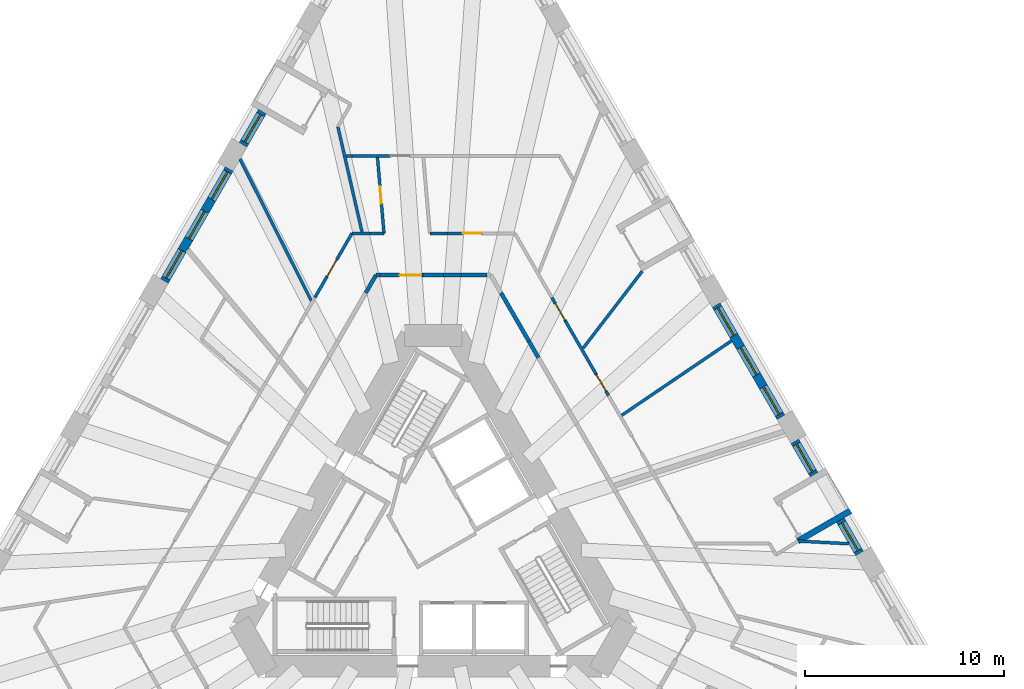
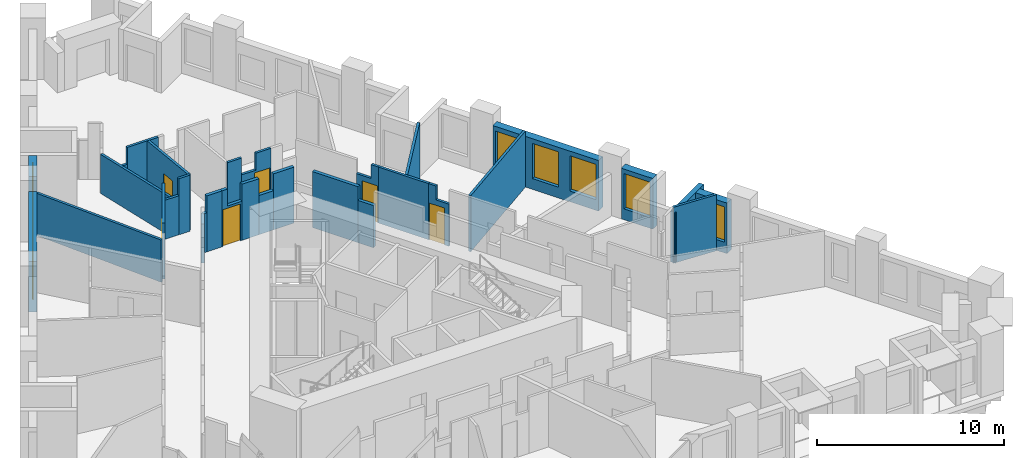
# One storey, part 8 of 14: 31 walls, 9 windows, 6 doors, 15 openings.
"""IFC4 building model written with IfcOpenShell, lengths in metres."""

from ifc_helpers import new_model, si_unit, direction, frame, frame_2d, origin, place, context, subcontext, project, spatial, polyline, rectangle, outline, extrude, material, layer, layer_set, type_object, element, fill, save


model = new_model("IFC4")

# Units and contexts
model_context = context("Model", 3, precision=1e-05, world=origin(), true_north=direction((0.0, 1.0)))
body_context = subcontext(model_context, "Body", "Model", "MODEL_VIEW")
ifc_project = project(units=[si_unit("LENGTHUNIT", "METRE"), si_unit("AREAUNIT", "SQUARE_METRE"), si_unit("VOLUMEUNIT", "CUBIC_METRE"), si_unit("PLANEANGLEUNIT", "RADIAN"), si_unit("MASSUNIT", "GRAM", prefix="KILO")], contexts=[model_context])

# Site, building, storey
site_placement = place(None, origin())
site = spatial("IfcSite", under=ifc_project, at=site_placement, CompositionType="ELEMENT")
building_placement = place(site_placement, origin())
building = spatial("IfcBuilding", under=site, at=building_placement, Name="Tramontana Tower", CompositionType="ELEMENT")
storey_placement = place(building_placement, frame((0.0, 0.0, 38.0)))
storey = spatial("IfcBuildingStorey", under=building, at=storey_placement, Name="L07", CompositionType="ELEMENT", Elevation=38.0)

# Walls
ifc_material_1 = material(Name="Blockwork", Category="masonry")
ifc_layer_1 = layer(ifc_material_1, 0.199951171875)
ifc_layer_set_1 = layer_set([ifc_layer_1], Name="ENTRY WALL 200")
wall_type_1 = type_object("IfcWallType", Name="ENTRY WALL 200", PredefinedType="SOLIDWALL", material=ifc_layer_set_1)
wall_1_placement = place(storey_placement, frame((3.404296875, 12.603515625, 0.0), z_axis=(0.0, 0.0, 1.0), x_axis=(0.500000186108, -0.866025296335, 0.0)))
element("IfcWall", 1, at=wall_1_placement, inside=storey, type_object=wall_type_1, Name="Wall v02-ew0-1", PredefinedType="SOLIDWALL", context=body_context, shape_type="SweptSolid", body=[
    extrude(rectangle(XDim=2.8154296875, YDim=0.199951171875, at=frame_2d((1.40771484375, 0.0))), origin(), (0.0, 0.0, 1.0), 3.64990234375),
])
wall_2_placement = place(storey_placement, frame((4.81201171875, 10.165283203125, 0.0), z_axis=(0.0, 0.0, 1.0), x_axis=(0.500174821557, -0.865924446982, 0.0)))
element("IfcWall", 2, at=wall_2_placement, inside=storey, type_object=wall_type_1, Name="Wall v02-ew0-2", PredefinedType="SOLIDWALL", context=body_context, shape_type="SweptSolid", body=[
    extrude(rectangle(XDim=0.949951171875, YDim=0.199951171875, at=frame_2d((0.47509765625, 0.0))), origin(), (0.0, 0.0, 1.0), 2.75),
])
wall_3_placement = place(storey_placement, frame((-3.404296875, 12.603515625, 0.0), z_axis=(0.0, 0.0, 1.0), x_axis=(0.499994660107, 0.866028486751, 0.0)))
element("IfcWall", 3, at=wall_3_placement, inside=storey, type_object=wall_type_1, Name="Wall v02-ew4-10", PredefinedType="SOLIDWALL", context=body_context, shape_type="SweptSolid", body=[
    extrude(rectangle(XDim=1.03515625, YDim=0.199951171875, at=frame_2d((0.517578125, 0.0))), origin(), (0.0, 0.0, 1.0), 2.550048828125),
])
wall_4_placement = place(storey_placement, frame((-2.88671875, 13.5, 0.0), z_axis=(0.0, 0.0, 1.0), x_axis=(1.0, 0.0, 0.0)))
element("IfcWall", 4, at=wall_4_placement, inside=storey, type_object=wall_type_1, Name="Wall v02-ew5-0", PredefinedType="SOLIDWALL", context=body_context, shape_type="SweptSolid", body=[
    extrude(rectangle(XDim=0.197265625, YDim=0.199951171875, at=frame_2d((0.0986328125, 0.0))), origin(), (0.0, 0.0, 1.0), 2.550048828125),
])
wall_5_placement = place(storey_placement, frame((-2.689453125, 13.5, 0.0), z_axis=(0.0, 0.0, 1.0), x_axis=(1.0, 0.0, 0.0)))
element("IfcWall", 5, at=wall_5_placement, inside=storey, type_object=wall_type_1, Name="Wall v02-ew5-1", PredefinedType="SOLIDWALL", context=body_context, shape_type="SweptSolid", body=[
    extrude(rectangle(XDim=0.936279296875, YDim=0.199951171875, at=frame_2d((0.46826171875, 0.0))), origin(), (0.0, 0.0, 1.0), 3.64990234375),
])

# Wall, opening, door
wall_6_placement = place(storey_placement, frame((-0.520263671875, 13.5, 0.0), z_axis=(0.0, 0.0, 1.0), x_axis=(-1.0, 0.0, 0.0)))
wall_6 = element("IfcWall", 6, at=wall_6_placement, inside=storey, type_object=wall_type_1, Name="Wall v02-ew5-2", PredefinedType="SOLIDWALL", context=body_context, shape_type="SweptSolid", body=[
    extrude(outline(polyline([(0.0, 0.0), (1.23291015625, 0.0), (1.23291015625, 3.64990234375), (0.90234375, 3.64990234375), (0.90234375, 2.550048828125), (0.0, 2.550048828125), (0.0, 0.0)])), frame((0.0, 0.10009765625, 0.0), z_axis=(0.0, -1.0, 0.0), x_axis=(1.0, 0.0, 0.0)), (0.0, 0.0, 1.0), 0.199951171875),
])
opening_1_placement = place(wall_6_placement, frame((0.082763671875, 0.0, 0.0)))
opening_1 = element("IfcOpeningElement", 7, at=opening_1_placement, cuts=wall_6, Name="Opening B0C-27", PredefinedType="OPENING", context=body_context, shape_type="SweptSolid", body=[
    extrude(rectangle(XDim=1.10009765625, YDim=2.39990234375, at=frame_2d((0.550048828125, 1.199951171875))), frame((0.0, 0.10986328125, 0.0), z_axis=(0.0, -1.0, 0.0), x_axis=(1.0, 0.0, 0.0)), (0.0, 0.0, 1.0), 0.219970703125),
])
ifc_material_2 = material(Name="Painted timber", Category="wood")
door_type_1 = type_object("IfcDoorType", Name="DOOR ENTRY 1100", OperationType="SINGLE_SWING_LEFT", PredefinedType="DOOR", material=ifc_material_2)
door_1_placement = place(opening_1_placement, origin())
door_1 = element("IfcDoor", 8, at=door_1_placement, inside=storey, type_object=door_type_1, Name="Door B0C-27", OperationType="SINGLE_SWING_LEFT", OverallHeight=2.39990234375, OverallWidth=1.10009765625, PredefinedType="DOOR", context=body_context, shape_type="SweptSolid", body=[
    extrude(rectangle(XDim=1.10009765625, YDim=2.39990234375, at=frame_2d((0.550048828125, 1.199951171875))), frame((0.0, 0.02490234375, 0.0), z_axis=(0.0, -1.0, 0.0), x_axis=(1.0, 0.0, 0.0)), (0.0, 0.0, 1.0), 0.050048828125),
])
fill(opening_1, door_1)

# Walls
wall_7_placement = place(storey_placement, frame((-0.520263671875, 13.5, 0.0), z_axis=(0.0, 0.0, 1.0), x_axis=(1.0, 0.0, 0.0)))
element("IfcWall", 9, at=wall_7_placement, inside=storey, type_object=wall_type_1, Name="Wall v02-ew5-3", PredefinedType="SOLIDWALL", context=body_context, shape_type="SweptSolid", body=[
    extrude(rectangle(XDim=1.04052734375, YDim=0.199951171875, at=frame_2d((0.520263671875, 0.0))), origin(), (0.0, 0.0, 1.0), 3.64990234375),
])
wall_8_placement = place(storey_placement, frame((0.520263671875, 13.5, 0.0), z_axis=(0.0, 0.0, 1.0), x_axis=(1.0, 0.0, 0.0)))
element("IfcWall", 10, at=wall_8_placement, inside=storey, type_object=wall_type_1, Name="Wall v02-ew5-4", PredefinedType="SOLIDWALL", context=body_context, shape_type="SweptSolid", body=[
    extrude(rectangle(XDim=0.90234375, YDim=0.199951171875, at=frame_2d((0.451171875, 0.0))), origin(), (0.0, 0.0, 1.0), 2.550048828125),
])
wall_9_placement = place(storey_placement, frame((1.422607421875, 13.5, 0.0), z_axis=(0.0, 0.0, 1.0), x_axis=(1.0, 0.0, 0.0)))
element("IfcWall", 11, at=wall_9_placement, inside=storey, type_object=wall_type_1, Name="Wall v02-ew5-5", PredefinedType="SOLIDWALL", context=body_context, shape_type="SweptSolid", body=[
    extrude(rectangle(XDim=1.266845703125, YDim=0.199951171875, at=frame_2d((0.63330078125, 0.0))), origin(), (0.0, 0.0, 1.0), 3.64990234375),
])

# Wall, opening, window
ifc_material_3 = material(Name="Precast concrete 60 MPa", Category="concrete")
ifc_layer_2 = layer(ifc_material_3, 0.449951171875)
ifc_layer_set_2 = layer_set([ifc_layer_2], Name="Precast concrete 60 MPa, 450 mm")
wall_type_2 = type_object("IfcWallType", Name="EW1 Stone-faced precast wall 450", PredefinedType="SOLIDWALL", material=ifc_layer_set_2)
wall_10_placement = place(storey_placement, frame((-8.61181640625, 21.73388671875, 0.0), z_axis=(0.0, 0.0, 1.0), x_axis=(-0.500038474733, -0.866003189247, 0.0)))
wall_10 = element("IfcWall", 12, at=wall_10_placement, inside=storey, type_object=wall_type_2, Name="External wall L07 face 0 bay 2", PredefinedType="SOLIDWALL", context=body_context, shape_type="SweptSolid", body=[
    extrude(rectangle(XDim=1.939208984375, YDim=0.449951171875, at=frame_2d((0.9697265625, 0.0))), origin(), (0.0, 0.0, 1.0), 3.300048828125),
])
opening_2_placement = place(wall_10_placement, frame((0.169677734375, 0.0, 0.699951171875)))
opening_2 = element("IfcOpeningElement", 13, at=opening_2_placement, cuts=wall_10, Name="Opening M1", PredefinedType="OPENING", context=body_context, shape_type="SweptSolid", body=[
    extrude(rectangle(XDim=1.60009765625, YDim=2.300048828125, at=frame_2d((0.800048828125, 1.14990234375))), frame((0.0, 0.23486328125, 0.0), z_axis=(0.0, -1.0, 0.0), x_axis=(1.0, 0.0, 0.0)), (0.0, 0.0, 1.0), 0.469970703125),
])
ifc_material_4 = material(Name="Aluminum frame, double glazing unit", Category="aluminium")
window_type = type_object("IfcWindowType", Name="M1 Window 1.6 x 2.3", PartitioningType="SINGLE_PANEL", PredefinedType="WINDOW", material=ifc_material_4)
window_1_placement = place(opening_2_placement, origin())
window_1 = element("IfcWindow", 14, at=window_1_placement, inside=storey, type_object=window_type, Name="Window M1 L07 face 0 module 6", OverallHeight=2.300048828125, OverallWidth=1.60009765625, PartitioningType="SINGLE_PANEL", PredefinedType="WINDOW", context=body_context, shape_type="SweptSolid", body=[
    extrude(rectangle(XDim=1.60009765625, YDim=2.300048828125, at=frame_2d((0.800048828125, 1.14990234375))), frame((0.0, 0.030029296875, 0.0), z_axis=(0.0, -1.0, 0.0), x_axis=(1.0, 0.0, 0.0)), (0.0, 0.0, 1.0), 0.06005859375),
])
fill(opening_2, window_1)

# Wall, openings, windows
wall_11_placement = place(storey_placement, frame((-10.281494140625, 18.842041015625, 0.0), z_axis=(0.0, 0.0, 1.0), x_axis=(-0.500002371706, -0.866024034475, 0.0)))
wall_11 = element("IfcWall", 15, at=wall_11_placement, inside=storey, type_object=wall_type_2, Name="External wall L07 face 0 bay 3", PredefinedType="SOLIDWALL", context=body_context, shape_type="SweptSolid", body=[
    extrude(rectangle(XDim=6.51806640625, YDim=0.449951171875, at=frame_2d((3.259033203125, 0.0))), origin(), (0.0, 0.0, 1.0), 3.300048828125),
])
opening_3_placement = place(wall_11_placement, frame((0.169677734375, 0.0, 0.699951171875)))
opening_3 = element("IfcOpeningElement", 16, at=opening_3_placement, cuts=wall_11, Name="Opening M1", PredefinedType="OPENING", context=body_context, shape_type="SweptSolid", body=[
    extrude(rectangle(XDim=1.60009765625, YDim=2.300048828125, at=frame_2d((0.800048828125, 1.14990234375))), frame((0.0, 0.23486328125, 0.0), z_axis=(0.0, -1.0, 0.0), x_axis=(1.0, 0.0, 0.0)), (0.0, 0.0, 1.0), 0.469970703125),
])
opening_4_placement = place(wall_11_placement, frame((2.458984375, 0.0, 0.699951171875)))
opening_4 = element("IfcOpeningElement", 17, at=opening_4_placement, cuts=wall_11, Name="Opening M1", PredefinedType="OPENING", context=body_context, shape_type="SweptSolid", body=[
    extrude(rectangle(XDim=1.60009765625, YDim=2.300048828125, at=frame_2d((0.800048828125, 1.14990234375))), frame((0.0, 0.23486328125, 0.0), z_axis=(0.0, -1.0, 0.0), x_axis=(1.0, 0.0, 0.0)), (0.0, 0.0, 1.0), 0.469970703125),
])
opening_5_placement = place(wall_11_placement, frame((4.748291015625, 0.0, 0.699951171875)))
opening_5 = element("IfcOpeningElement", 18, at=opening_5_placement, cuts=wall_11, Name="Opening M1", PredefinedType="OPENING", context=body_context, shape_type="SweptSolid", body=[
    extrude(rectangle(XDim=1.60009765625, YDim=2.300048828125, at=frame_2d((0.800048828125, 1.14990234375))), frame((0.0, 0.23486328125, 0.0), z_axis=(0.0, -1.0, 0.0), x_axis=(1.0, 0.0, 0.0)), (0.0, 0.0, 1.0), 0.469970703125),
])
window_2_placement = place(opening_3_placement, origin())
window_2 = element("IfcWindow", 19, at=window_2_placement, inside=storey, type_object=window_type, Name="Window M1 L07 face 0 module 7", OverallHeight=2.300048828125, OverallWidth=1.60009765625, PartitioningType="SINGLE_PANEL", PredefinedType="WINDOW", context=body_context, shape_type="SweptSolid", body=[
    extrude(rectangle(XDim=1.60009765625, YDim=2.300048828125, at=frame_2d((0.800048828125, 1.14990234375))), frame((0.0, 0.030029296875, 0.0), z_axis=(0.0, -1.0, 0.0), x_axis=(1.0, 0.0, 0.0)), (0.0, 0.0, 1.0), 0.06005859375),
])
fill(opening_3, window_2)
window_3_placement = place(opening_4_placement, origin())
window_3 = element("IfcWindow", 20, at=window_3_placement, inside=storey, type_object=window_type, Name="Window M1 L07 face 0 module 8", OverallHeight=2.300048828125, OverallWidth=1.60009765625, PartitioningType="SINGLE_PANEL", PredefinedType="WINDOW", context=body_context, shape_type="SweptSolid", body=[
    extrude(rectangle(XDim=1.60009765625, YDim=2.300048828125, at=frame_2d((0.800048828125, 1.14990234375))), frame((0.0, 0.030029296875, 0.0), z_axis=(0.0, -1.0, 0.0), x_axis=(1.0, 0.0, 0.0)), (0.0, 0.0, 1.0), 0.06005859375),
])
fill(opening_4, window_3)
window_4_placement = place(opening_5_placement, origin())
window_4 = element("IfcWindow", 21, at=window_4_placement, inside=storey, type_object=window_type, Name="Window M1 L07 face 0 module 9", OverallHeight=2.300048828125, OverallWidth=1.60009765625, PartitioningType="SINGLE_PANEL", PredefinedType="WINDOW", context=body_context, shape_type="SweptSolid", body=[
    extrude(rectangle(XDim=1.60009765625, YDim=2.300048828125, at=frame_2d((0.800048828125, 1.14990234375))), frame((0.0, 0.030029296875, 0.0), z_axis=(0.0, -1.0, 0.0), x_axis=(1.0, 0.0, 0.0)), (0.0, 0.0, 1.0), 0.06005859375),
])
fill(opening_5, window_4)

# Wall, opening, window
wall_12_placement = place(storey_placement, frame((21.45849609375, -0.51708984375, 0.0), z_axis=(0.0, 0.0, 1.0), x_axis=(-0.49998396455, 0.866034661658, 0.0)))
wall_12 = element("IfcWall", 22, at=wall_12_placement, inside=storey, type_object=wall_type_2, Name="External wall L07 face 2 bay 3", PredefinedType="SOLIDWALL", context=body_context, shape_type="SweptSolid", body=[
    extrude(rectangle(XDim=1.939453125, YDim=0.449951171875, at=frame_2d((0.9697265625, 0.0))), origin(), (0.0, 0.0, 1.0), 3.300048828125),
])
opening_6_placement = place(wall_12_placement, frame((0.169677734375, 0.0, 0.699951171875)))
opening_6 = element("IfcOpeningElement", 23, at=opening_6_placement, cuts=wall_12, Name="Opening M1", PredefinedType="OPENING", context=body_context, shape_type="SweptSolid", body=[
    extrude(rectangle(XDim=1.60009765625, YDim=2.300048828125, at=frame_2d((0.800048828125, 1.14990234375))), frame((0.0, 0.23486328125, 0.0), z_axis=(0.0, -1.0, 0.0), x_axis=(1.0, 0.0, 0.0)), (0.0, 0.0, 1.0), 0.469970703125),
])
window_5_placement = place(opening_6_placement, origin())
window_5 = element("IfcWindow", 24, at=window_5_placement, inside=storey, type_object=window_type, Name="Window M1 L07 face 2 module 7", OverallHeight=2.300048828125, OverallWidth=1.60009765625, PartitioningType="SINGLE_PANEL", PredefinedType="WINDOW", context=body_context, shape_type="SweptSolid", body=[
    extrude(rectangle(XDim=1.60009765625, YDim=2.300048828125, at=frame_2d((0.800048828125, 1.14990234375))), frame((0.0, 0.030029296875, 0.0), z_axis=(0.0, -1.0, 0.0), x_axis=(1.0, 0.0, 0.0)), (0.0, 0.0, 1.0), 0.06005859375),
])
fill(opening_6, window_5)

wall_13_placement = place(storey_placement, frame((19.1689453125, 3.4482421875, 0.0), z_axis=(0.0, 0.0, 1.0), x_axis=(-0.499944052521, 0.866057702667, 0.0)))
wall_13 = element("IfcWall", 25, at=wall_13_placement, inside=storey, type_object=wall_type_2, Name="External wall L07 face 2 bay 3", PredefinedType="SOLIDWALL", context=body_context, shape_type="SweptSolid", body=[
    extrude(rectangle(XDim=1.939208984375, YDim=0.449951171875, at=frame_2d((0.9697265625, 0.0))), origin(), (0.0, 0.0, 1.0), 3.300048828125),
])
opening_7_placement = place(wall_13_placement, frame((0.169677734375, 0.0, 0.699951171875)))
opening_7 = element("IfcOpeningElement", 26, at=opening_7_placement, cuts=wall_13, Name="Opening M1", PredefinedType="OPENING", context=body_context, shape_type="SweptSolid", body=[
    extrude(rectangle(XDim=1.60009765625, YDim=2.300048828125, at=frame_2d((0.800048828125, 1.14990234375))), frame((0.0, 0.23486328125, 0.0), z_axis=(0.0, -1.0, 0.0), x_axis=(1.0, 0.0, 0.0)), (0.0, 0.0, 1.0), 0.469970703125),
])
window_6_placement = place(opening_7_placement, origin())
window_6 = element("IfcWindow", 27, at=window_6_placement, inside=storey, type_object=window_type, Name="Window M1 L07 face 2 module 9", OverallHeight=2.300048828125, OverallWidth=1.60009765625, PartitioningType="SINGLE_PANEL", PredefinedType="WINDOW", context=body_context, shape_type="SweptSolid", body=[
    extrude(rectangle(XDim=1.60009765625, YDim=2.300048828125, at=frame_2d((0.800048828125, 1.14990234375))), frame((0.0, 0.030029296875, 0.0), z_axis=(0.0, -1.0, 0.0), x_axis=(1.0, 0.0, 0.0)), (0.0, 0.0, 1.0), 0.06005859375),
])
fill(opening_7, window_6)

# Wall, openings, windows
wall_14_placement = place(storey_placement, frame((17.49951171875, 6.340087890625, 0.0), z_axis=(0.0, 0.0, 1.0), x_axis=(-0.500002371706, 0.866024034475, 0.0)))
wall_14 = element("IfcWall", 28, at=wall_14_placement, inside=storey, type_object=wall_type_2, Name="External wall L07 face 2 bay 4", PredefinedType="SOLIDWALL", context=body_context, shape_type="SweptSolid", body=[
    extrude(rectangle(XDim=6.51806640625, YDim=0.449951171875, at=frame_2d((3.259033203125, 0.0))), origin(), (0.0, 0.0, 1.0), 3.300048828125),
])
opening_8_placement = place(wall_14_placement, frame((0.169677734375, 0.0, 0.699951171875)))
opening_8 = element("IfcOpeningElement", 29, at=opening_8_placement, cuts=wall_14, Name="Opening M1", PredefinedType="OPENING", context=body_context, shape_type="SweptSolid", body=[
    extrude(rectangle(XDim=1.60009765625, YDim=2.300048828125, at=frame_2d((0.800048828125, 1.14990234375))), frame((0.0, 0.23486328125, 0.0), z_axis=(0.0, -1.0, 0.0), x_axis=(1.0, 0.0, 0.0)), (0.0, 0.0, 1.0), 0.469970703125),
])
opening_9_placement = place(wall_14_placement, frame((2.458984375, 0.0, 0.699951171875)))
opening_9 = element("IfcOpeningElement", 30, at=opening_9_placement, cuts=wall_14, Name="Opening M1", PredefinedType="OPENING", context=body_context, shape_type="SweptSolid", body=[
    extrude(rectangle(XDim=1.60009765625, YDim=2.300048828125, at=frame_2d((0.800048828125, 1.14990234375))), frame((0.0, 0.23486328125, 0.0), z_axis=(0.0, -1.0, 0.0), x_axis=(1.0, 0.0, 0.0)), (0.0, 0.0, 1.0), 0.469970703125),
])
opening_10_placement = place(wall_14_placement, frame((4.748291015625, 0.0, 0.699951171875)))
opening_10 = element("IfcOpeningElement", 31, at=opening_10_placement, cuts=wall_14, Name="Opening M1", PredefinedType="OPENING", context=body_context, shape_type="SweptSolid", body=[
    extrude(rectangle(XDim=1.60009765625, YDim=2.300048828125, at=frame_2d((0.800048828125, 1.14990234375))), frame((0.0, 0.23486328125, 0.0), z_axis=(0.0, -1.0, 0.0), x_axis=(1.0, 0.0, 0.0)), (0.0, 0.0, 1.0), 0.469970703125),
])
window_7_placement = place(opening_8_placement, origin())
window_7 = element("IfcWindow", 32, at=window_7_placement, inside=storey, type_object=window_type, Name="Window M1 L07 face 2 module 10", OverallHeight=2.300048828125, OverallWidth=1.60009765625, PartitioningType="SINGLE_PANEL", PredefinedType="WINDOW", context=body_context, shape_type="SweptSolid", body=[
    extrude(rectangle(XDim=1.60009765625, YDim=2.300048828125, at=frame_2d((0.800048828125, 1.14990234375))), frame((0.0, 0.030029296875, 0.0), z_axis=(0.0, -1.0, 0.0), x_axis=(1.0, 0.0, 0.0)), (0.0, 0.0, 1.0), 0.06005859375),
])
fill(opening_8, window_7)
window_8_placement = place(opening_9_placement, origin())
window_8 = element("IfcWindow", 33, at=window_8_placement, inside=storey, type_object=window_type, Name="Window M1 L07 face 2 module 11", OverallHeight=2.300048828125, OverallWidth=1.60009765625, PartitioningType="SINGLE_PANEL", PredefinedType="WINDOW", context=body_context, shape_type="SweptSolid", body=[
    extrude(rectangle(XDim=1.60009765625, YDim=2.300048828125, at=frame_2d((0.800048828125, 1.14990234375))), frame((0.0, 0.030029296875, 0.0), z_axis=(0.0, -1.0, 0.0), x_axis=(1.0, 0.0, 0.0)), (0.0, 0.0, 1.0), 0.06005859375),
])
fill(opening_9, window_8)
window_9_placement = place(opening_10_placement, origin())
window_9 = element("IfcWindow", 34, at=window_9_placement, inside=storey, type_object=window_type, Name="Window M1 L07 face 2 module 12", OverallHeight=2.300048828125, OverallWidth=1.60009765625, PartitioningType="SINGLE_PANEL", PredefinedType="WINDOW", context=body_context, shape_type="SweptSolid", body=[
    extrude(rectangle(XDim=1.60009765625, YDim=2.300048828125, at=frame_2d((0.800048828125, 1.14990234375))), frame((0.0, 0.030029296875, 0.0), z_axis=(0.0, -1.0, 0.0), x_axis=(1.0, 0.0, 0.0)), (0.0, 0.0, 1.0), 0.06005859375),
])
fill(opening_10, window_9)

# Wall
ifc_material_5 = material(Name="Precast concrete 60 MPa", Category="concrete")
ifc_layer_3 = layer(ifc_material_5, 0.300048828125)
ifc_layer_set_3 = layer_set([ifc_layer_3], Name="LW1 Stone-faced loggia wall 300")
wall_type_3 = type_object("IfcWallType", Name="LW1 Stone-faced loggia wall 300", PredefinedType="SOLIDWALL", material=ifc_layer_set_3)
wall_15_placement = place(storey_placement, frame((20.998291015625, 1.6298828125, 0.0), z_axis=(0.0, 0.0, 1.0), x_axis=(-0.866037623948, -0.499978833458, 0.0)))
element("IfcWall", 35, at=wall_15_placement, inside=storey, type_object=wall_type_3, Name="Loggia return L07 G0S2.7a", PredefinedType="SOLIDWALL", context=body_context, shape_type="SweptSolid", body=[
    extrude(rectangle(XDim=3.050048828125, YDim=0.300048828125, at=frame_2d((1.52490234375, 0.0))), origin(), (0.0, 0.0, 1.0), 3.300048828125),
])

# Wall, opening, door
ifc_material_6 = material(Name="Gypsum board partition")
ifc_layer_4 = layer(ifc_material_6, 0.14990234375)
ifc_layer_set_4 = layer_set([ifc_layer_4], Name="PARTITION 150")
wall_type_4 = type_object("IfcWallType", Name="PARTITION 150", PredefinedType="PARTITIONING", material=ifc_layer_set_4)
wall_16_placement = place(storey_placement, frame((-5.9658203125, 12.366943359375, 0.0), z_axis=(0.0, 0.0, 1.0), x_axis=(0.500007375767, 0.866021145342, 0.0)))
wall_16 = element("IfcWall", 36, at=wall_16_placement, inside=storey, type_object=wall_type_4, Name="Wall v02-pw08-8", PredefinedType="PARTITIONING", context=body_context, shape_type="SweptSolid", body=[
    extrude(rectangle(XDim=3.7333984375, YDim=0.14990234375, at=frame_2d((1.86669921875, 0.0))), origin(), (0.0, 0.0, 1.0), 3.64990234375),
])
opening_11_placement = place(wall_16_placement, frame((1.23046875, 0.0, 0.0)))
opening_11 = element("IfcOpeningElement", 37, at=opening_11_placement, cuts=wall_16, Name="Opening B0C-07", PredefinedType="OPENING", context=body_context, shape_type="SweptSolid", body=[
    extrude(rectangle(XDim=0.949951171875, YDim=2.39990234375, at=frame_2d((0.47509765625, 1.199951171875))), frame((0.0, 0.0849609375, 0.0), z_axis=(0.0, -1.0, 0.0), x_axis=(1.0, 0.0, 0.0)), (0.0, 0.0, 1.0), 0.169921875),
])
ifc_material_7 = material(Name="Painted timber", Category="wood")
door_type_2 = type_object("IfcDoorType", Name="DOOR ROOM 950", OperationType="SINGLE_SWING_LEFT", PredefinedType="DOOR", material=ifc_material_7)
door_2_placement = place(opening_11_placement, origin())
door_2 = element("IfcDoor", 38, at=door_2_placement, inside=storey, type_object=door_type_2, Name="Door B0C-07", OperationType="SINGLE_SWING_LEFT", OverallHeight=2.39990234375, OverallWidth=0.949951171875, PredefinedType="DOOR", context=body_context, shape_type="SweptSolid", body=[
    extrude(rectangle(XDim=0.949951171875, YDim=2.39990234375, at=frame_2d((0.47509765625, 1.199951171875))), frame((0.0, 0.02490234375, 0.0), z_axis=(0.0, -1.0, 0.0), x_axis=(1.0, 0.0, 0.0)), (0.0, 0.0, 1.0), 0.050048828125),
])
fill(opening_11, door_2)

# Walls
wall_17_placement = place(storey_placement, frame((-6.14599609375, 12.205078125, 0.0), z_axis=(0.0, 0.0, 1.0), x_axis=(-0.449743848828, 0.893157584328, 0.0)))
element("IfcWall", 39, at=wall_17_placement, inside=storey, type_object=wall_type_4, Name="Wall v02-pw18-0", PredefinedType="PARTITIONING", context=body_context, shape_type="SweptSolid", body=[
    extrude(rectangle(XDim=7.983642578125, YDim=0.14990234375, at=frame_2d((3.99169921875, 0.0))), origin(), (0.0, 0.0, 1.0), 2.75),
])
wall_18_placement = place(storey_placement, frame((-4.394287109375, 19.5, 0.0), z_axis=(0.0, 0.0, 1.0), x_axis=(1.0, 0.0, 0.0)))
element("IfcWall", 40, at=wall_18_placement, inside=storey, type_object=wall_type_4, Name="Wall v02-pw21-0", PredefinedType="PARTITIONING", context=body_context, shape_type="SweptSolid", body=[
    extrude(rectangle(XDim=0.291259765625, YDim=0.14990234375, at=frame_2d((0.1455078125, 0.0))), origin(), (0.0, 0.0, 1.0), 2.550048828125),
])
wall_19_placement = place(storey_placement, frame((-4.10302734375, 19.5, 0.0), z_axis=(0.0, 0.0, 1.0), x_axis=(1.0, 0.0, 0.0)))
element("IfcWall", 41, at=wall_19_placement, inside=storey, type_object=wall_type_4, Name="Wall v02-pw21-1", PredefinedType="PARTITIONING", context=body_context, shape_type="SweptSolid", body=[
    extrude(rectangle(XDim=1.912353515625, YDim=0.14990234375, at=frame_2d((0.9560546875, 0.0))), origin(), (0.0, 0.0, 1.0), 3.64990234375),
])
wall_20_placement = place(storey_placement, frame((-4.09912109375, 15.60009765625, 0.0), z_axis=(0.0, 0.0, 1.0), x_axis=(1.0, 0.0, 0.0)))
element("IfcWall", 42, at=wall_20_placement, inside=storey, type_object=wall_type_4, Name="Wall v02-pw24-0", PredefinedType="PARTITIONING", context=body_context, shape_type="SweptSolid", body=[
    extrude(rectangle(XDim=0.906494140625, YDim=0.14990234375, at=frame_2d((0.453125, 0.0))), origin(), (0.0, 0.0, 1.0), 2.550048828125),
])
wall_21_placement = place(storey_placement, frame((-3.192626953125, 15.60009765625, 0.0), z_axis=(0.0, 0.0, 1.0), x_axis=(1.0, 0.0, 0.0)))
element("IfcWall", 43, at=wall_21_placement, inside=storey, type_object=wall_type_4, Name="Wall v02-pw24-1", PredefinedType="PARTITIONING", context=body_context, shape_type="SweptSolid", body=[
    extrude(rectangle(XDim=0.705810546875, YDim=0.14990234375, at=frame_2d((0.35302734375, 0.0))), origin(), (0.0, 0.0, 1.0), 3.64990234375),
])
wall_22_placement = place(storey_placement, frame((-3.59423828125, 15.675048828125, 0.0), z_axis=(0.0, 0.0, 1.0), x_axis=(-0.223500672061, 0.974703775302, 0.0)))
element("IfcWall", 44, at=wall_22_placement, inside=storey, type_object=wall_type_4, Name="Wall v02-pw25-0", PredefinedType="PARTITIONING", context=body_context, shape_type="SweptSolid", body=[
    extrude(rectangle(XDim=5.433349609375, YDim=0.14990234375, at=frame_2d((2.716796875, 0.0))), origin(), (0.0, 0.0, 1.0), 2.550048828125),
])

# Wall, opening, door
wall_23_placement = place(storey_placement, frame((-2.48681640625, 15.60009765625, 0.0), z_axis=(0.0, 0.0, 1.0), x_axis=(-0.085092687009, 0.996373039889, 0.0)))
wall_23 = element("IfcWall", 45, at=wall_23_placement, inside=storey, type_object=wall_type_4, Name="Wall v02-pw26", PredefinedType="PARTITIONING", context=body_context, shape_type="SweptSolid", body=[
    extrude(rectangle(XDim=3.8388671875, YDim=0.14990234375, at=frame_2d((1.91943359375, 0.0))), origin(), (0.0, 0.0, 1.0), 3.64990234375),
])
opening_12_placement = place(wall_23_placement, frame((1.494384765625, 0.0, 0.0)))
opening_12 = element("IfcOpeningElement", 46, at=opening_12_placement, cuts=wall_23, Name="Opening B0C-02", PredefinedType="OPENING", context=body_context, shape_type="SweptSolid", body=[
    extrude(rectangle(XDim=0.85009765625, YDim=2.39990234375, at=frame_2d((0.425048828125, 1.199951171875))), frame((0.0, 0.0849609375, 0.0), z_axis=(0.0, -1.0, 0.0), x_axis=(1.0, 0.0, 0.0)), (0.0, 0.0, 1.0), 0.169921875),
])
ifc_material_8 = material(Name="Painted timber", Category="wood")
door_type_3 = type_object("IfcDoorType", Name="DOOR BATH 850", OperationType="SINGLE_SWING_LEFT", PredefinedType="DOOR", material=ifc_material_8)
door_3_placement = place(opening_12_placement, origin())
door_3 = element("IfcDoor", 47, at=door_3_placement, inside=storey, type_object=door_type_3, Name="Door B0C-02", OperationType="SINGLE_SWING_RIGHT", OverallHeight=2.39990234375, OverallWidth=0.85009765625, PredefinedType="DOOR", context=body_context, shape_type="SweptSolid", body=[
    extrude(rectangle(XDim=0.85009765625, YDim=2.39990234375, at=frame_2d((0.425048828125, 1.199951171875))), frame((0.0, 0.02490234375, 0.0), z_axis=(0.0, -1.0, 0.0), x_axis=(1.0, 0.0, 0.0)), (0.0, 0.0, 1.0), 0.050048828125),
])
fill(opening_12, door_3)

# Wall
wall_24_placement = place(storey_placement, frame((-0.178466796875, 15.60009765625, 0.0), z_axis=(0.0, 0.0, 1.0), x_axis=(1.0, 0.0, 0.0)))
element("IfcWall", 48, at=wall_24_placement, inside=storey, type_object=wall_type_4, Name="Wall v02-pw29-0", PredefinedType="PARTITIONING", context=body_context, shape_type="SweptSolid", body=[
    extrude(rectangle(XDim=0.8623046875, YDim=0.14990234375, at=frame_2d((0.43115234375, 0.0))), origin(), (0.0, 0.0, 1.0), 3.64990234375),
])

# Wall, opening, door
wall_25_placement = place(storey_placement, frame((0.683837890625, 15.60009765625, 0.0), z_axis=(0.0, 0.0, 1.0), x_axis=(1.0, 0.0, 0.0)))
wall_25 = element("IfcWall", 49, at=wall_25_placement, inside=storey, type_object=wall_type_4, Name="Wall v02-pw29-1", PredefinedType="PARTITIONING", context=body_context, shape_type="SweptSolid", body=[
    extrude(outline(polyline([(0.0, 0.0), (1.801513671875, 0.0), (1.801513671875, 3.64990234375), (0.877197265625, 3.64990234375), (0.877197265625, 2.550048828125), (0.0, 2.550048828125), (0.0, 0.0)])), frame((0.0, 0.074951171875, 0.0), z_axis=(0.0, -1.0, 0.0), x_axis=(1.0, 0.0, 0.0)), (0.0, 0.0, 1.0), 0.14990234375),
])
opening_13_placement = place(wall_25_placement, frame((0.801513671875, 0.0, 0.0)))
opening_13 = element("IfcOpeningElement", 50, at=opening_13_placement, cuts=wall_25, Name="Opening B0C-01", PredefinedType="OPENING", context=body_context, shape_type="SweptSolid", body=[
    extrude(rectangle(XDim=0.949951171875, YDim=2.39990234375, at=frame_2d((0.47509765625, 1.199951171875))), frame((0.0, 0.0849609375, 0.0), z_axis=(0.0, -1.0, 0.0), x_axis=(1.0, 0.0, 0.0)), (0.0, 0.0, 1.0), 0.169921875),
])
door_4_placement = place(opening_13_placement, origin())
door_4 = element("IfcDoor", 51, at=door_4_placement, inside=storey, type_object=door_type_2, Name="Door B0C-01", OperationType="SINGLE_SWING_LEFT", OverallHeight=2.39990234375, OverallWidth=0.949951171875, PredefinedType="DOOR", context=body_context, shape_type="SweptSolid", body=[
    extrude(rectangle(XDim=0.949951171875, YDim=2.39990234375, at=frame_2d((0.47509765625, 1.199951171875))), frame((0.0, 0.02490234375, 0.0), z_axis=(0.0, -1.0, 0.0), x_axis=(1.0, 0.0, 0.0)), (0.0, 0.0, 1.0), 0.050048828125),
])
fill(opening_13, door_4)

wall_26_placement = place(storey_placement, frame((5.9658203125, 12.366943359375, 0.0), z_axis=(0.0, 0.0, 1.0), x_axis=(0.499982862641, -0.866035297817, 0.0)))
wall_26 = element("IfcWall", 52, at=wall_26_placement, inside=storey, type_object=wall_type_4, Name="Wall v02-pw31-1", PredefinedType="PARTITIONING", context=body_context, shape_type="SweptSolid", body=[
    extrude(outline(polyline([(0.0, 0.0), (1.3525390625, 0.0), (1.352783203125, 3.64990234375), (0.920166015625, 3.64990234375), (0.920166015625, 2.75), (0.0, 2.75), (0.0, 0.0)])), frame((0.0, 0.074951171875, 0.0), z_axis=(0.0, -1.0, 0.0), x_axis=(1.0, 0.0, 0.0)), (0.0, 0.0, 1.0), 0.14990234375),
])
opening_14_placement = place(wall_26_placement, frame((0.352783203125, 0.0, 0.0)))
opening_14 = element("IfcOpeningElement", 53, at=opening_14_placement, cuts=wall_26, Name="Opening B0C-04", PredefinedType="OPENING", context=body_context, shape_type="SweptSolid", body=[
    extrude(rectangle(XDim=0.949951171875, YDim=2.39990234375, at=frame_2d((0.47509765625, 1.199951171875))), frame((0.0, 0.0849609375, 0.0), z_axis=(0.0, -1.0, 0.0), x_axis=(1.0, 0.0, 0.0)), (0.0, 0.0, 1.0), 0.169921875),
])
door_5_placement = place(opening_14_placement, origin())
door_5 = element("IfcDoor", 54, at=door_5_placement, inside=storey, type_object=door_type_2, Name="Door B0C-04", OperationType="SINGLE_SWING_RIGHT", OverallHeight=2.39990234375, OverallWidth=0.949951171875, PredefinedType="DOOR", context=body_context, shape_type="SweptSolid", body=[
    extrude(rectangle(XDim=0.949951171875, YDim=2.39990234375, at=frame_2d((0.47509765625, 1.199951171875))), frame((0.0, 0.02490234375, 0.0), z_axis=(0.0, -1.0, 0.0), x_axis=(1.0, 0.0, 0.0)), (0.0, 0.0, 1.0), 0.050048828125),
])
fill(opening_14, door_5)

# Wall
wall_27_placement = place(storey_placement, frame((6.64208984375, 11.195556640625, 0.0), z_axis=(0.0, 0.0, 1.0), x_axis=(0.499982516597, -0.866035497597, 0.0)))
element("IfcWall", 55, at=wall_27_placement, inside=storey, type_object=wall_type_4, Name="Wall v02-pw31-2", PredefinedType="PARTITIONING", context=body_context, shape_type="SweptSolid", body=[
    extrude(rectangle(XDim=3.087890625, YDim=0.14990234375, at=frame_2d((1.5439453125, 0.0))), origin(), (0.0, 0.0, 1.0), 3.64990234375),
])

# Wall, opening, door
wall_28_placement = place(storey_placement, frame((8.18603515625, 8.521240234375, 0.0), z_axis=(0.0, 0.0, 1.0), x_axis=(0.500096880442, -0.865969462609, 0.0)))
wall_28 = element("IfcWall", 56, at=wall_28_placement, inside=storey, type_object=wall_type_4, Name="Wall v02-pw31-3", PredefinedType="PARTITIONING", context=body_context, shape_type="SweptSolid", body=[
    extrude(outline(polyline([(0.0, 0.0), (1.260498046875, 0.0), (1.260498046875, 2.75), (0.468017578125, 2.75), (0.468017578125, 3.64990234375), (0.0, 3.64990234375), (0.0, 0.0)])), frame((0.0, 0.074951171875, 0.0), z_axis=(0.0, -1.0, 0.0), x_axis=(1.0, 0.0, 0.0)), (0.0, 0.0, 1.0), 0.14990234375),
])
opening_15_placement = place(wall_28_placement, frame((0.050048828125, 0.0, 0.0)))
opening_15 = element("IfcOpeningElement", 57, at=opening_15_placement, cuts=wall_28, Name="Opening B0C-05", PredefinedType="OPENING", context=body_context, shape_type="SweptSolid", body=[
    extrude(rectangle(XDim=0.949951171875, YDim=2.39990234375, at=frame_2d((0.47509765625, 1.199951171875))), frame((0.0, 0.0849609375, 0.0), z_axis=(0.0, -1.0, 0.0), x_axis=(1.0, 0.0, 0.0)), (0.0, 0.0, 1.0), 0.169921875),
])
door_6_placement = place(opening_15_placement, origin())
door_6 = element("IfcDoor", 58, at=door_6_placement, inside=storey, type_object=door_type_2, Name="Door B0C-05", OperationType="SINGLE_SWING_LEFT", OverallHeight=2.39990234375, OverallWidth=0.949951171875, PredefinedType="DOOR", context=body_context, shape_type="SweptSolid", body=[
    extrude(rectangle(XDim=0.949951171875, YDim=2.39990234375, at=frame_2d((0.47509765625, 1.199951171875))), frame((0.0, 0.02490234375, 0.0), z_axis=(0.0, -1.0, 0.0), x_axis=(1.0, 0.0, 0.0)), (0.0, 0.0, 1.0), 0.050048828125),
])
fill(opening_15, door_6)

# Walls
wall_29_placement = place(storey_placement, frame((10.513916015625, 13.689208984375, 0.0), z_axis=(0.0, 0.0, 1.0), x_axis=(-0.609110626565, -0.793085269442, 0.0)))
element("IfcWall", 59, at=wall_29_placement, inside=storey, type_object=wall_type_4, Name="Wall v02-pw36", PredefinedType="PARTITIONING", context=body_context, shape_type="SweptSolid", body=[
    extrude(rectangle(XDim=4.896728515625, YDim=0.14990234375, at=frame_2d((2.4482421875, 0.0))), origin(), (0.0, 0.0, 1.0), 3.64990234375),
])
wall_30_placement = place(storey_placement, frame((15.01513671875, 10.19287109375, 0.0), z_axis=(0.0, 0.0, 1.0), x_axis=(-0.827368617703, -0.561659301035, 0.0)))
element("IfcWall", 60, at=wall_30_placement, inside=storey, type_object=wall_type_4, Name="Wall v02-pw42", PredefinedType="PARTITIONING", context=body_context, shape_type="SweptSolid", body=[
    extrude(rectangle(XDim=6.692626953125, YDim=0.14990234375, at=frame_2d((3.34619140625, 0.0))), origin(), (0.0, 0.0, 1.0), 3.64990234375),
])
wall_31_placement = place(storey_placement, frame((18.35693359375, 0.10498046875, 0.0), z_axis=(0.0, 0.0, 1.0), x_axis=(0.998646622594, -0.052008875995, 0.0)))
element("IfcWall", 61, at=wall_31_placement, inside=storey, type_object=wall_type_4, Name="Wall v02-pw49", PredefinedType="PARTITIONING", context=body_context, shape_type="SweptSolid", body=[
    extrude(rectangle(XDim=2.56298828125, YDim=0.14990234375, at=frame_2d((1.281494140625, 0.0))), origin(), (0.0, 0.0, 1.0), 3.64990234375),
])

save(model, "model.ifc")
